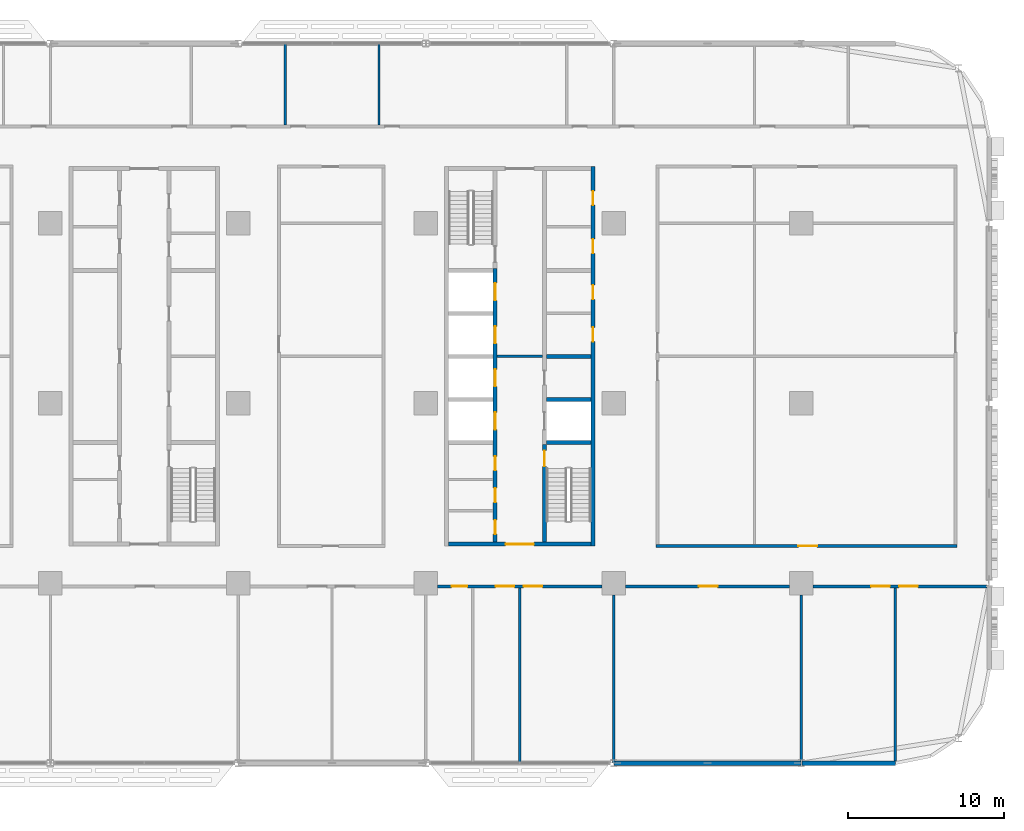
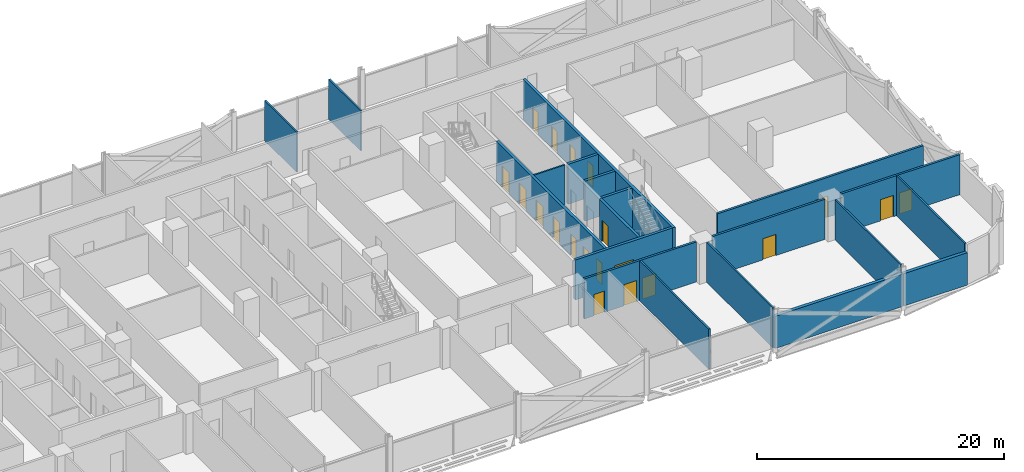
# One storey, part 16 of 29: 20 doors, 20 walls, 20 openings.
"""IFC4 building model written with IfcOpenShell, lengths in metres."""

from ifc_helpers import new_model, si_unit, direction, frame, frame_2d, origin, place, context, subcontext, project, spatial, rectangle, extrude, material, layer, layer_set, type_object, element, fill, save


model = new_model("IFC4")

# Units and contexts
model_context = context("Model", 3, precision=1e-05, world=origin(), true_north=direction((0.0, 1.0)))
body_context = subcontext(model_context, "Body", "Model", "MODEL_VIEW")
ifc_project = project(units=[si_unit("LENGTHUNIT", "METRE"), si_unit("AREAUNIT", "SQUARE_METRE"), si_unit("VOLUMEUNIT", "CUBIC_METRE"), si_unit("PLANEANGLEUNIT", "RADIAN"), si_unit("MASSUNIT", "GRAM", prefix="KILO")], contexts=[model_context])

# Site, building, storey
site_placement = place(None, origin())
site = spatial("IfcSite", under=ifc_project, at=site_placement, CompositionType="ELEMENT")
building_placement = place(site_placement, origin())
building = spatial("IfcBuilding", under=site, at=building_placement, Name="Mahtab Terrace Research Tower", CompositionType="ELEMENT")
storey_placement = place(building_placement, frame((0.0, 0.0, 54.60009765625)))
storey = spatial("IfcBuildingStorey", under=building, at=storey_placement, Name="L12", CompositionType="ELEMENT", Elevation=54.60009765625)

# Wall
ifc_material_1 = material(Name="Gypsum board partition")
ifc_layer_1 = layer(ifc_material_1, 0.14990234375)
ifc_layer_set_1 = layer_set([ifc_layer_1], Name="Core partition 150")
wall_type_1 = type_object("IfcWallType", Name="Core partition 150", PredefinedType="PARTITIONING", material=ifc_layer_set_1)
wall_1_placement = place(storey_placement, frame((22.550048828125, 3.0, 0.0), z_axis=(0.0, 0.0, 1.0), x_axis=(1.0, 0.0, 0.0)))
element("IfcWall", 1, at=wall_1_placement, inside=storey, type_object=wall_type_1, Name="Core wall C ffl", PredefinedType="PARTITIONING", context=body_context, shape_type="SweptSolid", body=[
    extrude(rectangle(XDim=2.89990234375, YDim=0.14990234375, at=frame_2d((1.449951171875, 0.0))), origin(), (0.0, 0.0, 1.0), 3.9599609375),
])

# Wall, openings, doors
ifc_material_2 = material(Name="Concrete C70/85", Category="concrete")
ifc_layer_2 = layer(ifc_material_2, 0.25)
ifc_layer_set_2 = layer_set([ifc_layer_2], Name="Core wall 250")
wall_type_2 = type_object("IfcWallType", Name="Core wall 250", PredefinedType="SOLIDWALL", material=ifc_layer_set_2)
wall_2_placement = place(storey_placement, frame((28.675048828125, -9.125, 0.0), z_axis=(0.0, 0.0, 1.0), x_axis=(0.0, 1.0, 0.0)))
wall_2 = element("IfcWall", 2, at=wall_2_placement, inside=storey, type_object=wall_type_2, Name="Core wall C outerE", PredefinedType="SOLIDWALL", context=body_context, shape_type="SweptSolid", body=[
    extrude(rectangle(XDim=24.25, YDim=0.25, at=frame_2d((12.125, 0.0))), origin(), (0.0, 0.0, 1.0), 3.9599609375),
])
opening_1_placement = place(wall_2_placement, frame((13.074951171875, 0.0, 0.0)))
opening_1 = element("IfcOpeningElement", 3, at=opening_1_placement, cuts=wall_2, Name="Opening C-R2", PredefinedType="OPENING", context=body_context, shape_type="SweptSolid", body=[
    extrude(rectangle(XDim=0.89990234375, YDim=2.10009765625, at=frame_2d((0.449951171875, 1.050048828125))), frame((0.0, 0.135009765625, 0.0), z_axis=(0.0, -1.0, 0.0), x_axis=(1.0, 0.0, 0.0)), (0.0, 0.0, 1.0), 0.27001953125),
])
opening_2_placement = place(wall_2_placement, frame((15.77490234375, 0.0, 0.0)))
opening_2 = element("IfcOpeningElement", 4, at=opening_2_placement, cuts=wall_2, Name="Opening C-R3", PredefinedType="OPENING", context=body_context, shape_type="SweptSolid", body=[
    extrude(rectangle(XDim=0.89990234375, YDim=2.10009765625, at=frame_2d((0.449951171875, 1.050048828125))), frame((0.0, 0.135009765625, 0.0), z_axis=(0.0, -1.0, 0.0), x_axis=(1.0, 0.0, 0.0)), (0.0, 0.0, 1.0), 0.27001953125),
])
opening_3_placement = place(wall_2_placement, frame((18.71240234375, 0.0, 0.0)))
opening_3 = element("IfcOpeningElement", 5, at=opening_3_placement, cuts=wall_2, Name="Opening C-R7", PredefinedType="OPENING", context=body_context, shape_type="SweptSolid", body=[
    extrude(rectangle(XDim=0.89990234375, YDim=2.10009765625, at=frame_2d((0.449951171875, 1.050048828125))), frame((0.0, 0.135009765625, 0.0), z_axis=(0.0, -1.0, 0.0), x_axis=(1.0, 0.0, 0.0)), (0.0, 0.0, 1.0), 0.27001953125),
])
opening_4_placement = place(wall_2_placement, frame((21.78759765625, 0.0, 0.0)))
opening_4 = element("IfcOpeningElement", 6, at=opening_4_placement, cuts=wall_2, Name="Opening C-R8", PredefinedType="OPENING", context=body_context, shape_type="SweptSolid", body=[
    extrude(rectangle(XDim=0.89990234375, YDim=2.10009765625, at=frame_2d((0.449951171875, 1.050048828125))), frame((0.0, 0.135009765625, 0.0), z_axis=(0.0, -1.0, 0.0), x_axis=(1.0, 0.0, 0.0)), (0.0, 0.0, 1.0), 0.27001953125),
])
ifc_material_3 = material(Name="Steel fire door", Category="steel")
door_type_1 = type_object("IfcDoorType", Name="Room door 900x2100 1 HR", OperationType="NOTDEFINED", PredefinedType="DOOR", material=ifc_material_3)
door_1_placement = place(opening_1_placement, origin())
door_1 = element("IfcDoor", 7, at=door_1_placement, inside=storey, type_object=door_type_1, Name="Document store door", OperationType="SINGLE_SWING_RIGHT", OverallHeight=2.10009765625, OverallWidth=0.89990234375, PredefinedType="DOOR", context=body_context, shape_type="SweptSolid", body=[
    extrude(rectangle(XDim=0.89990234375, YDim=2.10009765625, at=frame_2d((0.449951171875, 1.050048828125))), frame((0.0, 0.02490234375, 0.0), z_axis=(0.0, -1.0, 0.0), x_axis=(1.0, 0.0, 0.0)), (0.0, 0.0, 1.0), 0.050048828125),
])
fill(opening_1, door_1)
door_2_placement = place(opening_2_placement, origin())
door_2 = element("IfcDoor", 8, at=door_2_placement, inside=storey, type_object=door_type_1, Name="IT equipment room door", OperationType="SINGLE_SWING_LEFT", OverallHeight=2.10009765625, OverallWidth=0.89990234375, PredefinedType="DOOR", context=body_context, shape_type="SweptSolid", body=[
    extrude(rectangle(XDim=0.89990234375, YDim=2.10009765625, at=frame_2d((0.449951171875, 1.050048828125))), frame((0.0, 0.02490234375, 0.0), z_axis=(0.0, -1.0, 0.0), x_axis=(1.0, 0.0, 0.0)), (0.0, 0.0, 1.0), 0.050048828125),
])
fill(opening_2, door_2)
door_3_placement = place(opening_3_placement, origin())
door_3 = element("IfcDoor", 9, at=door_3_placement, inside=storey, type_object=door_type_1, Name="Mechanical riser room door", OperationType="SINGLE_SWING_LEFT", OverallHeight=2.10009765625, OverallWidth=0.89990234375, PredefinedType="DOOR", context=body_context, shape_type="SweptSolid", body=[
    extrude(rectangle(XDim=0.89990234375, YDim=2.10009765625, at=frame_2d((0.449951171875, 1.050048828125))), frame((0.0, 0.02490234375, 0.0), z_axis=(0.0, -1.0, 0.0), x_axis=(1.0, 0.0, 0.0)), (0.0, 0.0, 1.0), 0.050048828125),
])
fill(opening_3, door_3)
door_4_placement = place(opening_4_placement, origin())
door_4 = element("IfcDoor", 10, at=door_4_placement, inside=storey, type_object=door_type_1, Name="Chemical store door", OperationType="SINGLE_SWING_RIGHT", OverallHeight=2.10009765625, OverallWidth=0.89990234375, PredefinedType="DOOR", context=body_context, shape_type="SweptSolid", body=[
    extrude(rectangle(XDim=0.89990234375, YDim=2.10009765625, at=frame_2d((0.449951171875, 1.050048828125))), frame((0.0, 0.02490234375, 0.0), z_axis=(0.0, -1.0, 0.0), x_axis=(1.0, 0.0, 0.0)), (0.0, 0.0, 1.0), 0.050048828125),
])
fill(opening_4, door_4)

# Wall, opening, door
wall_3_placement = place(storey_placement, frame((28.550048828125, -9.0, 0.0), z_axis=(0.0, 0.0, 1.0), x_axis=(-1.0, 0.0, 0.0)))
wall_3 = element("IfcWall", 11, at=wall_3_placement, inside=storey, type_object=wall_type_2, Name="Core wall C endS", PredefinedType="SOLIDWALL", context=body_context, shape_type="SweptSolid", body=[
    extrude(rectangle(XDim=9.10009765625, YDim=0.25, at=frame_2d((4.550048828125, 0.0))), origin(), (0.0, 0.0, 1.0), 3.9599609375),
])
opening_5_placement = place(wall_3_placement, frame((3.64990234375, 0.0, 0.0)))
opening_5 = element("IfcOpeningElement", 12, at=opening_5_placement, cuts=wall_3, Name="Opening C-S1", PredefinedType="OPENING", context=body_context, shape_type="SweptSolid", body=[
    extrude(rectangle(XDim=1.800048828125, YDim=2.10009765625, at=frame_2d((0.89990234375, 1.050048828125))), frame((0.0, 0.135009765625, 0.0), z_axis=(0.0, -1.0, 0.0), x_axis=(1.0, 0.0, 0.0)), (0.0, 0.0, 1.0), 0.27001953125),
])
door_type_2 = type_object("IfcDoorType", Name="Lobby double door 1800x2100 1 HR", OperationType="DOUBLE_DOOR_SINGLE_SWING", PredefinedType="DOOR", material=ifc_material_3)
door_5_placement = place(opening_5_placement, origin())
door_5 = element("IfcDoor", 13, at=door_5_placement, inside=storey, type_object=door_type_2, Name="Core entrance door C S", OperationType="DOUBLE_DOOR_SINGLE_SWING", OverallHeight=2.10009765625, OverallWidth=1.800048828125, PredefinedType="DOOR", context=body_context, shape_type="SweptSolid", body=[
    extrude(rectangle(XDim=1.800048828125, YDim=2.10009765625, at=frame_2d((0.89990234375, 1.050048828125))), frame((0.0, 0.02490234375, 0.0), z_axis=(0.0, -1.0, 0.0), x_axis=(1.0, 0.0, 0.0)), (0.0, 0.0, 1.0), 0.050048828125),
])
fill(opening_5, door_5)

# Wall, openings, doors
wall_4_placement = place(storey_placement, frame((22.425048828125, -8.875, 0.0), z_axis=(0.0, 0.0, 1.0), x_axis=(0.0, 1.0, 0.0)))
wall_4 = element("IfcWall", 14, at=wall_4_placement, inside=storey, type_object=wall_type_2, Name="Core wall C innerWSL", PredefinedType="SOLIDWALL", context=body_context, shape_type="SweptSolid", body=[
    extrude(rectangle(XDim=17.5, YDim=0.25, at=frame_2d((8.75, 0.0))), origin(), (0.0, 0.0, 1.0), 3.9599609375),
])
opening_6_placement = place(wall_4_placement, frame((7.199951171875, 0.0, 0.0)))
opening_6 = element("IfcOpeningElement", 15, at=opening_6_placement, cuts=wall_4, Name="Opening LD17-L12", PredefinedType="OPENING", context=body_context, shape_type="SweptSolid", body=[
    extrude(rectangle(XDim=1.10009765625, YDim=2.10009765625, at=frame_2d((0.550048828125, 1.050048828125))), frame((0.0, 0.135009765625, 0.0), z_axis=(0.0, -1.0, 0.0), x_axis=(1.0, 0.0, 0.0)), (0.0, 0.0, 1.0), 0.27001953125),
])
opening_7_placement = place(wall_4_placement, frame((9.949951171875, 0.0, 0.0)))
opening_7 = element("IfcOpeningElement", 16, at=opening_7_placement, cuts=wall_4, Name="Opening LD18-L12", PredefinedType="OPENING", context=body_context, shape_type="SweptSolid", body=[
    extrude(rectangle(XDim=1.10009765625, YDim=2.10009765625, at=frame_2d((0.550048828125, 1.050048828125))), frame((0.0, 0.135009765625, 0.0), z_axis=(0.0, -1.0, 0.0), x_axis=(1.0, 0.0, 0.0)), (0.0, 0.0, 1.0), 0.27001953125),
])
opening_8_placement = place(wall_4_placement, frame((12.699951171875, 0.0, 0.0)))
opening_8 = element("IfcOpeningElement", 17, at=opening_8_placement, cuts=wall_4, Name="Opening LD19-L12", PredefinedType="OPENING", context=body_context, shape_type="SweptSolid", body=[
    extrude(rectangle(XDim=1.10009765625, YDim=2.10009765625, at=frame_2d((0.550048828125, 1.050048828125))), frame((0.0, 0.135009765625, 0.0), z_axis=(0.0, -1.0, 0.0), x_axis=(1.0, 0.0, 0.0)), (0.0, 0.0, 1.0), 0.27001953125),
])
opening_9_placement = place(wall_4_placement, frame((15.449951171875, 0.0, 0.0)))
opening_9 = element("IfcOpeningElement", 18, at=opening_9_placement, cuts=wall_4, Name="Opening LD20-L12", PredefinedType="OPENING", context=body_context, shape_type="SweptSolid", body=[
    extrude(rectangle(XDim=1.10009765625, YDim=2.10009765625, at=frame_2d((0.550048828125, 1.050048828125))), frame((0.0, 0.135009765625, 0.0), z_axis=(0.0, -1.0, 0.0), x_axis=(1.0, 0.0, 0.0)), (0.0, 0.0, 1.0), 0.27001953125),
])
opening_10_placement = place(wall_4_placement, frame((0.512451171875, 0.0, 0.0)))
opening_10 = element("IfcOpeningElement", 19, at=opening_10_placement, cuts=wall_4, Name="Opening C-R4", PredefinedType="OPENING", context=body_context, shape_type="SweptSolid", body=[
    extrude(rectangle(XDim=0.89990234375, YDim=2.10009765625, at=frame_2d((0.449951171875, 1.050048828125))), frame((0.0, 0.135009765625, 0.0), z_axis=(0.0, -1.0, 0.0), x_axis=(1.0, 0.0, 0.0)), (0.0, 0.0, 1.0), 0.27001953125),
])
opening_11_placement = place(wall_4_placement, frame((2.550048828125, 0.0, 0.0)))
opening_11 = element("IfcOpeningElement", 20, at=opening_11_placement, cuts=wall_4, Name="Opening C-R5", PredefinedType="OPENING", context=body_context, shape_type="SweptSolid", body=[
    extrude(rectangle(XDim=0.89990234375, YDim=2.10009765625, at=frame_2d((0.449951171875, 1.050048828125))), frame((0.0, 0.135009765625, 0.0), z_axis=(0.0, -1.0, 0.0), x_axis=(1.0, 0.0, 0.0)), (0.0, 0.0, 1.0), 0.27001953125),
])
opening_12_placement = place(wall_4_placement, frame((4.58740234375, 0.0, 0.0)))
opening_12 = element("IfcOpeningElement", 21, at=opening_12_placement, cuts=wall_4, Name="Opening C-R6", PredefinedType="OPENING", context=body_context, shape_type="SweptSolid", body=[
    extrude(rectangle(XDim=0.89990234375, YDim=2.10009765625, at=frame_2d((0.449951171875, 1.050048828125))), frame((0.0, 0.135009765625, 0.0), z_axis=(0.0, -1.0, 0.0), x_axis=(1.0, 0.0, 0.0)), (0.0, 0.0, 1.0), 0.27001953125),
])
ifc_material_4 = material(Name="Stainless steel AISI 304", Category="steel")
door_type_3 = type_object("IfcDoorType", Name="Landing door 1100x2100", OperationType="DOUBLE_DOOR_SLIDING", PredefinedType="DOOR", material=ifc_material_4)
door_6_placement = place(opening_6_placement, origin())
door_6 = element("IfcDoor", 22, at=door_6_placement, inside=storey, type_object=door_type_3, Name="Landing door SV1 L12", OperationType="DOUBLE_DOOR_SLIDING", OverallHeight=2.10009765625, OverallWidth=1.10009765625, PredefinedType="DOOR", context=body_context, shape_type="SweptSolid", body=[
    extrude(rectangle(XDim=1.10009765625, YDim=2.10009765625, at=frame_2d((0.550048828125, 1.050048828125))), frame((0.0, 0.02490234375, 0.0), z_axis=(0.0, -1.0, 0.0), x_axis=(1.0, 0.0, 0.0)), (0.0, 0.0, 1.0), 0.050048828125),
])
fill(opening_6, door_6)
door_7_placement = place(opening_7_placement, origin())
door_7 = element("IfcDoor", 23, at=door_7_placement, inside=storey, type_object=door_type_3, Name="Landing door SV2 L12", OperationType="DOUBLE_DOOR_SLIDING", OverallHeight=2.10009765625, OverallWidth=1.10009765625, PredefinedType="DOOR", context=body_context, shape_type="SweptSolid", body=[
    extrude(rectangle(XDim=1.10009765625, YDim=2.10009765625, at=frame_2d((0.550048828125, 1.050048828125))), frame((0.0, 0.02490234375, 0.0), z_axis=(0.0, -1.0, 0.0), x_axis=(1.0, 0.0, 0.0)), (0.0, 0.0, 1.0), 0.050048828125),
])
fill(opening_7, door_7)
door_8_placement = place(opening_8_placement, origin())
door_8 = element("IfcDoor", 24, at=door_8_placement, inside=storey, type_object=door_type_3, Name="Landing door FF1 L12", OperationType="DOUBLE_DOOR_SLIDING", OverallHeight=2.10009765625, OverallWidth=1.10009765625, PredefinedType="DOOR", context=body_context, shape_type="SweptSolid", body=[
    extrude(rectangle(XDim=1.10009765625, YDim=2.10009765625, at=frame_2d((0.550048828125, 1.050048828125))), frame((0.0, 0.02490234375, 0.0), z_axis=(0.0, -1.0, 0.0), x_axis=(1.0, 0.0, 0.0)), (0.0, 0.0, 1.0), 0.050048828125),
])
fill(opening_8, door_8)
door_9_placement = place(opening_9_placement, origin())
door_9 = element("IfcDoor", 25, at=door_9_placement, inside=storey, type_object=door_type_3, Name="Landing door FF2 L12", OperationType="DOUBLE_DOOR_SLIDING", OverallHeight=2.10009765625, OverallWidth=1.10009765625, PredefinedType="DOOR", context=body_context, shape_type="SweptSolid", body=[
    extrude(rectangle(XDim=1.10009765625, YDim=2.10009765625, at=frame_2d((0.550048828125, 1.050048828125))), frame((0.0, 0.02490234375, 0.0), z_axis=(0.0, -1.0, 0.0), x_axis=(1.0, 0.0, 0.0)), (0.0, 0.0, 1.0), 0.050048828125),
])
fill(opening_9, door_9)
door_10_placement = place(opening_10_placement, origin())
door_10 = element("IfcDoor", 26, at=door_10_placement, inside=storey, type_object=door_type_1, Name="Male WC door", OperationType="SINGLE_SWING_RIGHT", OverallHeight=2.10009765625, OverallWidth=0.89990234375, PredefinedType="DOOR", context=body_context, shape_type="SweptSolid", body=[
    extrude(rectangle(XDim=0.89990234375, YDim=2.10009765625, at=frame_2d((0.449951171875, 1.050048828125))), frame((0.0, 0.02490234375, 0.0), z_axis=(0.0, -1.0, 0.0), x_axis=(1.0, 0.0, 0.0)), (0.0, 0.0, 1.0), 0.050048828125),
])
fill(opening_10, door_10)
door_11_placement = place(opening_11_placement, origin())
door_11 = element("IfcDoor", 27, at=door_11_placement, inside=storey, type_object=door_type_1, Name="Female WC door", OperationType="SINGLE_SWING_LEFT", OverallHeight=2.10009765625, OverallWidth=0.89990234375, PredefinedType="DOOR", context=body_context, shape_type="SweptSolid", body=[
    extrude(rectangle(XDim=0.89990234375, YDim=2.10009765625, at=frame_2d((0.449951171875, 1.050048828125))), frame((0.0, 0.02490234375, 0.0), z_axis=(0.0, -1.0, 0.0), x_axis=(1.0, 0.0, 0.0)), (0.0, 0.0, 1.0), 0.050048828125),
])
fill(opening_11, door_11)
door_12_placement = place(opening_12_placement, origin())
door_12 = element("IfcDoor", 28, at=door_12_placement, inside=storey, type_object=door_type_1, Name="Accessible WC door", OperationType="SINGLE_SWING_RIGHT", OverallHeight=2.10009765625, OverallWidth=0.89990234375, PredefinedType="DOOR", context=body_context, shape_type="SweptSolid", body=[
    extrude(rectangle(XDim=0.89990234375, YDim=2.10009765625, at=frame_2d((0.449951171875, 1.050048828125))), frame((0.0, 0.02490234375, 0.0), z_axis=(0.0, -1.0, 0.0), x_axis=(1.0, 0.0, 0.0)), (0.0, 0.0, 1.0), 0.050048828125),
])
fill(opening_12, door_12)

# Wall, opening, door
wall_5_placement = place(storey_placement, frame((25.574951171875, -8.875, 0.0), z_axis=(0.0, 0.0, 1.0), x_axis=(0.0, 1.0, 0.0)))
wall_5 = element("IfcWall", 29, at=wall_5_placement, inside=storey, type_object=wall_type_2, Name="Core wall C innerES", PredefinedType="SOLIDWALL", context=body_context, shape_type="SweptSolid", body=[
    extrude(rectangle(XDim=6.25, YDim=0.25, at=frame_2d((3.125, 0.0))), origin(), (0.0, 0.0, 1.0), 3.9599609375),
])
opening_13_placement = place(wall_5_placement, frame((4.85009765625, 0.0, 0.0)))
opening_13 = element("IfcOpeningElement", 30, at=opening_13_placement, cuts=wall_5, Name="Opening C-ST4", PredefinedType="OPENING", context=body_context, shape_type="SweptSolid", body=[
    extrude(rectangle(XDim=1.0, YDim=2.10009765625, at=frame_2d((0.5, 1.050048828125))), frame((0.0, 0.135009765625, 0.0), z_axis=(0.0, -1.0, 0.0), x_axis=(1.0, 0.0, 0.0)), (0.0, 0.0, 1.0), 0.27001953125),
])
door_type_4 = type_object("IfcDoorType", Name="Stair door 1000x2100 1.5 HR", OperationType="NOTDEFINED", PredefinedType="DOOR", material=ifc_material_3)
door_13_placement = place(opening_13_placement, origin())
door_13 = element("IfcDoor", 31, at=door_13_placement, inside=storey, type_object=door_type_4, Name="Stair door ST4 L12", OperationType="SINGLE_SWING_RIGHT", OverallHeight=2.10009765625, OverallWidth=1.0, PredefinedType="DOOR", context=body_context, shape_type="SweptSolid", body=[
    extrude(rectangle(XDim=1.0, YDim=2.10009765625, at=frame_2d((0.5, 1.050048828125))), frame((0.0, 0.02490234375, 0.0), z_axis=(0.0, -1.0, 0.0), x_axis=(1.0, 0.0, 0.0)), (0.0, 0.0, 1.0), 0.050048828125),
])
fill(opening_13, door_13)

# Walls
for number, where, z_axis, x_axis, name in (
    (32, (25.699951171875, -2.5, 0.0), (0.0, 0.0, 1.0), (1.0, 0.0, 0.0), "Core wall C divE0"),
    (33, (25.699951171875, 0.25, 0.0), (0.0, 0.0, 1.0), (1.0, 0.0, 0.0), "Core wall C divE1"),
    (34, (25.699951171875, 3.0, 0.0), (0.0, 0.0, 1.0), (1.0, 0.0, 0.0), "Core wall C divE2"),
):
    element("IfcWall", number, at=place(storey_placement, frame(where, z_axis=z_axis, x_axis=x_axis)), inside=storey, type_object=wall_type_2, Name=name, PredefinedType="SOLIDWALL", context=body_context, shape_type="SweptSolid", body=[
        extrude(rectangle(XDim=2.85009765625, YDim=0.25, at=frame_2d((1.425048828125, 0.0))), origin(), (0.0, 0.0, 1.0), 3.9599609375),
    ])
ifc_material_5 = material(Name="Black aluminium cladding panel", Category="aluminium")
ifc_layer_3 = layer(ifc_material_5, 0.300048828125)
ifc_layer_set_3 = layer_set([ifc_layer_3], Name="Opaque facade wall 300")
wall_type_3 = type_object("IfcWallType", Name="Opaque facade wall 300", PredefinedType="NOTDEFINED", material=ifc_layer_set_3)
wall_6_placement = place(storey_placement, frame((30.02392578125, -23.0, 0.0), z_axis=(0.0, 0.0, 1.0), x_axis=(1.0, 0.0, 0.0)))
element("IfcWall", 35, at=wall_6_placement, inside=storey, type_object=wall_type_3, Name="Opaque facade wall L12 S29", PredefinedType="NOTDEFINED", context=body_context, shape_type="SweptSolid", body=[
    extrude(rectangle(XDim=11.9521484375, YDim=0.300048828125, at=frame_2d((5.97607421875, 0.0))), origin(), (0.0, 0.0, 1.0), 3.202880859375),
])
wall_7_placement = place(storey_placement, frame((42.02392578125, -23.0, 0.0), z_axis=(0.0, 0.0, 1.0), x_axis=(1.0, 0.0, 0.0)))
element("IfcWall", 36, at=wall_7_placement, inside=storey, type_object=wall_type_3, Name="Opaque facade wall L12 S30", PredefinedType="NOTDEFINED", context=body_context, shape_type="SweptSolid", body=[
    extrude(rectangle(XDim=5.97607421875, YDim=0.300048828125, at=frame_2d((2.988037109375, 0.0))), origin(), (0.0, 0.0, 1.0), 3.202880859375),
])

# Wall, openings, doors
ifc_material_6 = material(Name="Gypsum board corridor wall on steel studs", Category="steel")
ifc_layer_4 = layer(ifc_material_6, 0.199951171875)
ifc_layer_set_4 = layer_set([ifc_layer_4], Name="WALL CORRIDOR 200")
wall_type_4 = type_object("IfcWallType", Name="WALL CORRIDOR 200", PredefinedType="PARTITIONING", material=ifc_layer_set_4)
wall_8_placement = place(storey_placement, frame((18.75, -11.699951171875, 0.0), z_axis=(0.0, 0.0, 1.0), x_axis=(1.0, 0.0, 0.0)))
wall_8 = element("IfcWall", 37, at=wall_8_placement, inside=storey, type_object=wall_type_4, Name="L12-W006", PredefinedType="PARTITIONING", context=body_context, shape_type="SweptSolid", body=[
    extrude(rectangle(XDim=10.5, YDim=0.199951171875, at=frame_2d((5.25, 0.0))), origin(), (0.0, 0.0, 1.0), 3.9599609375),
])
opening_14_placement = place(wall_8_placement, frame((0.89990234375, 0.0, 0.0)))
opening_14 = element("IfcOpeningElement", 38, at=opening_14_placement, cuts=wall_8, Name="Opening L12-110", PredefinedType="OPENING", context=body_context, shape_type="SweptSolid", body=[
    extrude(rectangle(XDim=1.0, YDim=2.10009765625, at=frame_2d((0.5, 1.050048828125))), frame((0.0, 0.10986328125, 0.0), z_axis=(0.0, -1.0, 0.0), x_axis=(1.0, 0.0, 0.0)), (0.0, 0.0, 1.0), 0.219970703125),
])
opening_15_placement = place(wall_8_placement, frame((3.699951171875, 0.0, 0.0)))
opening_15 = element("IfcOpeningElement", 39, at=opening_15_placement, cuts=wall_8, Name="Opening L12-111", PredefinedType="OPENING", context=body_context, shape_type="SweptSolid", body=[
    extrude(rectangle(XDim=1.199951171875, YDim=2.10009765625, at=frame_2d((0.60009765625, 1.050048828125))), frame((0.0, 0.10986328125, 0.0), z_axis=(0.0, -1.0, 0.0), x_axis=(1.0, 0.0, 0.0)), (0.0, 0.0, 1.0), 0.219970703125),
])
opening_16_placement = place(wall_8_placement, frame((5.5, 0.0, 0.0)))
opening_16 = element("IfcOpeningElement", 40, at=opening_16_placement, cuts=wall_8, Name="Opening L12-112", PredefinedType="OPENING", context=body_context, shape_type="SweptSolid", body=[
    extrude(rectangle(XDim=1.199951171875, YDim=2.10009765625, at=frame_2d((0.60009765625, 1.050048828125))), frame((0.0, 0.10986328125, 0.0), z_axis=(0.0, -1.0, 0.0), x_axis=(1.0, 0.0, 0.0)), (0.0, 0.0, 1.0), 0.219970703125),
])
ifc_material_7 = material(Name="Timber door leaf in steel frame", Category="steel")
door_type_5 = type_object("IfcDoorType", Name="DOOR 1000X2100 FD30S", OperationType="SINGLE_SWING_LEFT", PredefinedType="DOOR", material=ifc_material_7)
door_14_placement = place(opening_14_placement, origin())
door_14 = element("IfcDoor", 41, at=door_14_placement, inside=storey, type_object=door_type_5, Name="Door L12-110", OperationType="SINGLE_SWING_RIGHT", OverallHeight=2.10009765625, OverallWidth=1.0, PredefinedType="DOOR", context=body_context, shape_type="SweptSolid", body=[
    extrude(rectangle(XDim=1.0, YDim=2.10009765625, at=frame_2d((0.5, 1.050048828125))), frame((0.0, 0.02490234375, 0.0), z_axis=(0.0, -1.0, 0.0), x_axis=(1.0, 0.0, 0.0)), (0.0, 0.0, 1.0), 0.050048828125),
])
fill(opening_14, door_14)
door_type_6 = type_object("IfcDoorType", Name="DOOR 1200X2100 FD30S", OperationType="SINGLE_SWING_LEFT", PredefinedType="DOOR", material=ifc_material_7)
door_15_placement = place(opening_15_placement, origin())
door_15 = element("IfcDoor", 42, at=door_15_placement, inside=storey, type_object=door_type_6, Name="Door L12-111", OperationType="SINGLE_SWING_RIGHT", OverallHeight=2.10009765625, OverallWidth=1.199951171875, PredefinedType="DOOR", context=body_context, shape_type="SweptSolid", body=[
    extrude(rectangle(XDim=1.199951171875, YDim=2.10009765625, at=frame_2d((0.60009765625, 1.050048828125))), frame((0.0, 0.02490234375, 0.0), z_axis=(0.0, -1.0, 0.0), x_axis=(1.0, 0.0, 0.0)), (0.0, 0.0, 1.0), 0.050048828125),
])
fill(opening_15, door_15)
door_16_placement = place(opening_16_placement, origin())
door_16 = element("IfcDoor", 43, at=door_16_placement, inside=storey, type_object=door_type_6, Name="Door L12-112", OperationType="SINGLE_SWING_LEFT", OverallHeight=2.10009765625, OverallWidth=1.199951171875, PredefinedType="DOOR", context=body_context, shape_type="SweptSolid", body=[
    extrude(rectangle(XDim=1.199951171875, YDim=2.10009765625, at=frame_2d((0.60009765625, 1.050048828125))), frame((0.0, 0.02490234375, 0.0), z_axis=(0.0, -1.0, 0.0), x_axis=(1.0, 0.0, 0.0)), (0.0, 0.0, 1.0), 0.050048828125),
])
fill(opening_16, door_16)

# Wall, opening, door
wall_9_placement = place(storey_placement, frame((30.75, -11.699951171875, 0.0), z_axis=(0.0, 0.0, 1.0), x_axis=(1.0, 0.0, 0.0)))
wall_9 = element("IfcWall", 44, at=wall_9_placement, inside=storey, type_object=wall_type_4, Name="L12-W007", PredefinedType="PARTITIONING", context=body_context, shape_type="SweptSolid", body=[
    extrude(rectangle(XDim=10.5, YDim=0.199951171875, at=frame_2d((5.25, 0.0))), origin(), (0.0, 0.0, 1.0), 3.9599609375),
])
opening_17_placement = place(wall_9_placement, frame((4.699951171875, 0.0, 0.0)))
opening_17 = element("IfcOpeningElement", 45, at=opening_17_placement, cuts=wall_9, Name="Opening L12-113", PredefinedType="OPENING", context=body_context, shape_type="SweptSolid", body=[
    extrude(rectangle(XDim=1.199951171875, YDim=2.10009765625, at=frame_2d((0.60009765625, 1.050048828125))), frame((0.0, 0.10986328125, 0.0), z_axis=(0.0, -1.0, 0.0), x_axis=(1.0, 0.0, 0.0)), (0.0, 0.0, 1.0), 0.219970703125),
])
door_17_placement = place(opening_17_placement, origin())
door_17 = element("IfcDoor", 46, at=door_17_placement, inside=storey, type_object=door_type_6, Name="Door L12-113", OperationType="SINGLE_SWING_LEFT", OverallHeight=2.10009765625, OverallWidth=1.199951171875, PredefinedType="DOOR", context=body_context, shape_type="SweptSolid", body=[
    extrude(rectangle(XDim=1.199951171875, YDim=2.10009765625, at=frame_2d((0.60009765625, 1.050048828125))), frame((0.0, 0.02490234375, 0.0), z_axis=(0.0, -1.0, 0.0), x_axis=(1.0, 0.0, 0.0)), (0.0, 0.0, 1.0), 0.050048828125),
])
fill(opening_17, door_17)

# Wall, openings, doors
wall_10_placement = place(storey_placement, frame((42.75, -11.699951171875, 0.0), z_axis=(0.0, 0.0, 1.0), x_axis=(1.0, 0.0, 0.0)))
wall_10 = element("IfcWall", 47, at=wall_10_placement, inside=storey, type_object=wall_type_4, Name="L12-W008", PredefinedType="PARTITIONING", context=body_context, shape_type="SweptSolid", body=[
    extrude(rectangle(XDim=11.10009765625, YDim=0.199951171875, at=frame_2d((5.550048828125, 0.0))), origin(), (0.0, 0.0, 1.0), 3.9599609375),
])
opening_18_placement = place(wall_10_placement, frame((3.699951171875, 0.0, 0.0)))
opening_18 = element("IfcOpeningElement", 48, at=opening_18_placement, cuts=wall_10, Name="Opening L12-114", PredefinedType="OPENING", context=body_context, shape_type="SweptSolid", body=[
    extrude(rectangle(XDim=1.199951171875, YDim=2.10009765625, at=frame_2d((0.60009765625, 1.050048828125))), frame((0.0, 0.10986328125, 0.0), z_axis=(0.0, -1.0, 0.0), x_axis=(1.0, 0.0, 0.0)), (0.0, 0.0, 1.0), 0.219970703125),
])
opening_19_placement = place(wall_10_placement, frame((5.5, 0.0, 0.0)))
opening_19 = element("IfcOpeningElement", 49, at=opening_19_placement, cuts=wall_10, Name="Opening L12-115", PredefinedType="OPENING", context=body_context, shape_type="SweptSolid", body=[
    extrude(rectangle(XDim=1.199951171875, YDim=2.10009765625, at=frame_2d((0.60009765625, 1.050048828125))), frame((0.0, 0.10986328125, 0.0), z_axis=(0.0, -1.0, 0.0), x_axis=(1.0, 0.0, 0.0)), (0.0, 0.0, 1.0), 0.219970703125),
])
door_18_placement = place(opening_18_placement, origin())
door_18 = element("IfcDoor", 50, at=door_18_placement, inside=storey, type_object=door_type_6, Name="Door L12-114", OperationType="SINGLE_SWING_RIGHT", OverallHeight=2.10009765625, OverallWidth=1.199951171875, PredefinedType="DOOR", context=body_context, shape_type="SweptSolid", body=[
    extrude(rectangle(XDim=1.199951171875, YDim=2.10009765625, at=frame_2d((0.60009765625, 1.050048828125))), frame((0.0, 0.02490234375, 0.0), z_axis=(0.0, -1.0, 0.0), x_axis=(1.0, 0.0, 0.0)), (0.0, 0.0, 1.0), 0.050048828125),
])
fill(opening_18, door_18)
door_19_placement = place(opening_19_placement, origin())
door_19 = element("IfcDoor", 51, at=door_19_placement, inside=storey, type_object=door_type_6, Name="Door L12-115", OperationType="SINGLE_SWING_LEFT", OverallHeight=2.10009765625, OverallWidth=1.199951171875, PredefinedType="DOOR", context=body_context, shape_type="SweptSolid", body=[
    extrude(rectangle(XDim=1.199951171875, YDim=2.10009765625, at=frame_2d((0.60009765625, 1.050048828125))), frame((0.0, 0.02490234375, 0.0), z_axis=(0.0, -1.0, 0.0), x_axis=(1.0, 0.0, 0.0)), (0.0, 0.0, 1.0), 0.050048828125),
])
fill(opening_19, door_19)

# Wall, opening, door
wall_11_placement = place(storey_placement, frame((32.699951171875, -9.125, 0.0), z_axis=(0.0, 0.0, 1.0), x_axis=(1.0, 0.0, 0.0)))
wall_11 = element("IfcWall", 52, at=wall_11_placement, inside=storey, type_object=wall_type_4, Name="L12-W012", PredefinedType="PARTITIONING", context=body_context, shape_type="SweptSolid", body=[
    extrude(rectangle(XDim=19.25, YDim=0.199951171875, at=frame_2d((9.625, 0.0))), origin(), (0.0, 0.0, 1.0), 3.9599609375),
])
opening_20_placement = place(wall_11_placement, frame((9.10009765625, 0.0, 0.0)))
opening_20 = element("IfcOpeningElement", 53, at=opening_20_placement, cuts=wall_11, Name="Opening L12-120", PredefinedType="OPENING", context=body_context, shape_type="SweptSolid", body=[
    extrude(rectangle(XDim=1.199951171875, YDim=2.10009765625, at=frame_2d((0.60009765625, 1.050048828125))), frame((0.0, 0.10986328125, 0.0), z_axis=(0.0, -1.0, 0.0), x_axis=(1.0, 0.0, 0.0)), (0.0, 0.0, 1.0), 0.219970703125),
])
door_20_placement = place(opening_20_placement, origin())
door_20 = element("IfcDoor", 54, at=door_20_placement, inside=storey, type_object=door_type_6, Name="Door L12-120", OperationType="SINGLE_SWING_RIGHT", OverallHeight=2.10009765625, OverallWidth=1.199951171875, PredefinedType="DOOR", context=body_context, shape_type="SweptSolid", body=[
    extrude(rectangle(XDim=1.199951171875, YDim=2.10009765625, at=frame_2d((0.60009765625, 1.050048828125))), frame((0.0, 0.02490234375, 0.0), z_axis=(0.0, -1.0, 0.0), x_axis=(1.0, 0.0, 0.0)), (0.0, 0.0, 1.0), 0.050048828125),
])
fill(opening_20, door_20)

# Walls
ifc_material_8 = material(Name="Gypsum board partition on steel studs", Category="steel")
ifc_layer_5 = layer(ifc_material_8, 0.14990234375)
ifc_layer_set_5 = layer_set([ifc_layer_5], Name="WALL PARTITION 150")
wall_type_5 = type_object("IfcWallType", Name="WALL PARTITION 150", PredefinedType="PARTITIONING", material=ifc_layer_set_5)
for number, where, z_axis, x_axis, name in (
    (55, (9.0, 17.800048828125, 0.0), (0.0, 0.0, 1.0), (0.0, 1.0, 0.0), "L12-W045"),
    (56, (15.0, 17.800048828125, 0.0), (0.0, 0.0, 1.0), (0.0, 1.0, 0.0), "L12-W047"),
):
    element("IfcWall", number, at=place(storey_placement, frame(where, z_axis=z_axis, x_axis=x_axis)), inside=storey, type_object=wall_type_5, Name=name, PredefinedType="PARTITIONING", context=body_context, shape_type="SweptSolid", body=[
        extrude(rectangle(XDim=5.175048828125, YDim=0.14990234375, at=frame_2d((2.58740234375, 0.0))), origin(), (0.0, 0.0, 1.0), 3.9599609375),
    ])
wall_12_placement = place(storey_placement, frame((24.0, -22.97509765625, 0.0), z_axis=(0.0, 0.0, 1.0), x_axis=(0.0, 1.0, 0.0)))
element("IfcWall", 57, at=wall_12_placement, inside=storey, type_object=wall_type_5, Name="L12-W051", PredefinedType="PARTITIONING", context=body_context, shape_type="SweptSolid", body=[
    extrude(rectangle(XDim=11.175048828125, YDim=0.14990234375, at=frame_2d((5.58740234375, 0.0))), origin(), (0.0, 0.0, 1.0), 3.9599609375),
])
wall_13_placement = place(storey_placement, frame((30.0, -22.97509765625, 0.0), z_axis=(0.0, 0.0, 1.0), x_axis=(0.0, 1.0, 0.0)))
element("IfcWall", 58, at=wall_13_placement, inside=storey, type_object=wall_type_5, Name="L12-W053", PredefinedType="PARTITIONING", context=body_context, shape_type="SweptSolid", body=[
    extrude(rectangle(XDim=10.72509765625, YDim=0.14990234375, at=frame_2d((5.362548828125, 0.0))), origin(), (0.0, 0.0, 1.0), 3.9599609375),
])
wall_14_placement = place(storey_placement, frame((42.0, -22.85009765625, 0.0), z_axis=(0.0, 0.0, 1.0), x_axis=(0.0, 1.0, 0.0)))
element("IfcWall", 59, at=wall_14_placement, inside=storey, type_object=wall_type_5, Name="L12-W058", PredefinedType="PARTITIONING", context=body_context, shape_type="SweptSolid", body=[
    extrude(rectangle(XDim=10.60009765625, YDim=0.14990234375, at=frame_2d((5.300048828125, 0.0))), origin(), (0.0, 0.0, 1.0), 3.9599609375),
])
wall_15_placement = place(storey_placement, frame((48.0, -22.84716796875, 0.0), z_axis=(0.0, 0.0, 1.0), x_axis=(0.0, 1.0, 0.0)))
element("IfcWall", 60, at=wall_15_placement, inside=storey, type_object=wall_type_5, Name="L12-W060", PredefinedType="PARTITIONING", context=body_context, shape_type="SweptSolid", body=[
    extrude(rectangle(XDim=11.047119140625, YDim=0.14990234375, at=frame_2d((5.5234375, 0.0))), origin(), (0.0, 0.0, 1.0), 3.9599609375),
])

save(model, "model.ifc")
